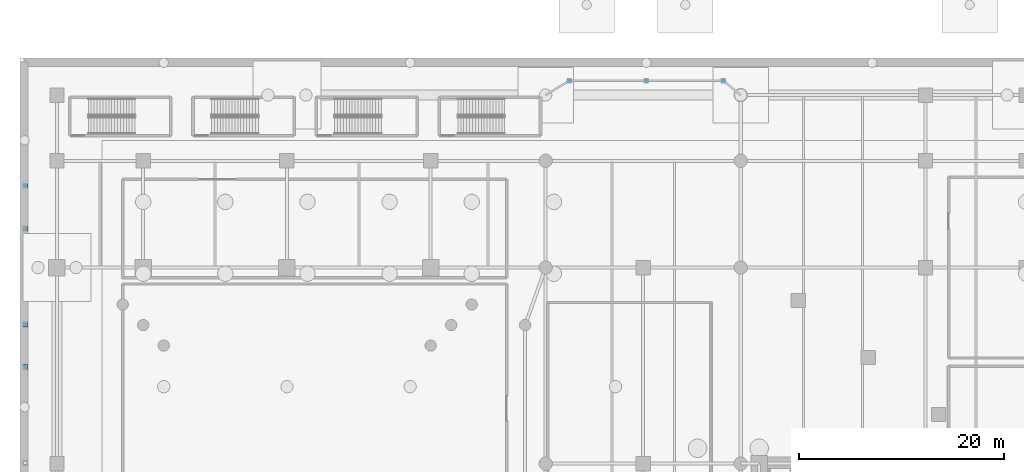
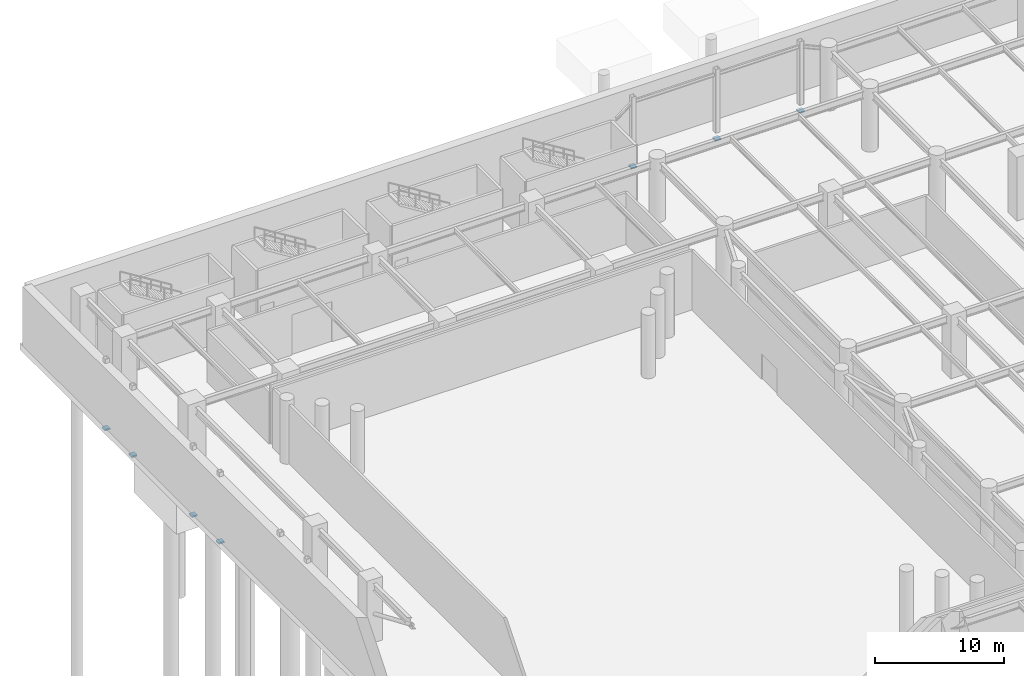
# One storey, part 30 of 37: 7 discrete accessories.
"""IFC4 building model written with IfcOpenShell, lengths in metres."""

from ifc_helpers import new_model, si_unit, direction, frame, origin, origin_2d, place, context, subcontext, project, spatial, rectangle, extrude, material, type_object, element, save


model = new_model("IFC4")

# Units and contexts
model_context = context("Model", 3, precision=1e-05, world=origin(), true_north=direction((0.0, 1.0)))
body_context = subcontext(model_context, "Body", "Model", "MODEL_VIEW")
ifc_project = project(units=[si_unit("LENGTHUNIT", "METRE"), si_unit("AREAUNIT", "SQUARE_METRE"), si_unit("VOLUMEUNIT", "CUBIC_METRE"), si_unit("PLANEANGLEUNIT", "RADIAN"), si_unit("MASSUNIT", "GRAM", prefix="KILO")], contexts=[model_context])

# Site, building, storey
site_placement = place(None, origin())
site = spatial("IfcSite", under=ifc_project, at=site_placement, CompositionType="ELEMENT")
building_placement = place(site_placement, origin())
building = spatial("IfcBuilding", under=site, at=building_placement, Name="Narakoshi Arena Tower", CompositionType="ELEMENT")
storey_placement = place(building_placement, frame((0.0, 0.0, -6.0)))
storey = spatial("IfcBuildingStorey", under=building, at=storey_placement, Name="B01", CompositionType="ELEMENT", Elevation=-6.0)

# Discrete accessories
ifc_material = material(Name="Structural steel S460ML", Category="steel")
discrete_accessory_type = type_object("IfcDiscreteAccessoryType", Name="ACC-GUS-PLT", PredefinedType="BRACKET", material=ifc_material)
for number, where, z_axis, x_axis, name in (
    (1, (0.52001953125, 83.570068359375, -0.72998046875), (0.0, 0.0, 1.0), (1.0, 0.0, 0.0), "B01 Shutter Pier Base Cap Plate 01N"),
    (2, (0.52001953125, 79.409912109375, -0.72998046875), (0.0, 0.0, 1.0), (1.0, 0.0, 0.0), "B01 Shutter Pier Base Cap Plate 01S"),
    (3, (0.52001953125, 70.070068359375, -0.72998046875), (0.0, 0.0, 1.0), (1.0, 0.0, 0.0), "B01 Shutter Pier Base Cap Plate 02N"),
    (4, (0.52001953125, 65.909912109375, -0.72998046875), (0.0, 0.0, 1.0), (1.0, 0.0, 0.0), "B01 Shutter Pier Base Cap Plate 02S"),
    (5, (53.5, 93.800048828125, -0.72998046875), (0.0, 0.0, 1.0), (1.0, 0.0, 0.0), "B01 Canopy Column Base Cap Plate CAN04"),
    (6, (61.0, 93.800048828125, -0.72998046875), (0.0, 0.0, 1.0), (1.0, 0.0, 0.0), "B01 Canopy Column Base Cap Plate CAN05"),
    (7, (68.5, 93.800048828125, -0.72998046875), (0.0, 0.0, 1.0), (1.0, 0.0, 0.0), "B01 Canopy Column Base Cap Plate CAN06"),
):
    element("IfcDiscreteAccessory", number, at=place(storey_placement, frame(where, z_axis=z_axis, x_axis=x_axis)), inside=storey, type_object=discrete_accessory_type, Name=name, PredefinedType="BRACKET", context=body_context, shape_type="SweptSolid", body=[
        extrude(rectangle(XDim=0.47998046875, YDim=0.47998046875, at=origin_2d()), origin(), (0.0, 0.0, 1.0), 0.139892578125),
    ])

save(model, "model.ifc")
